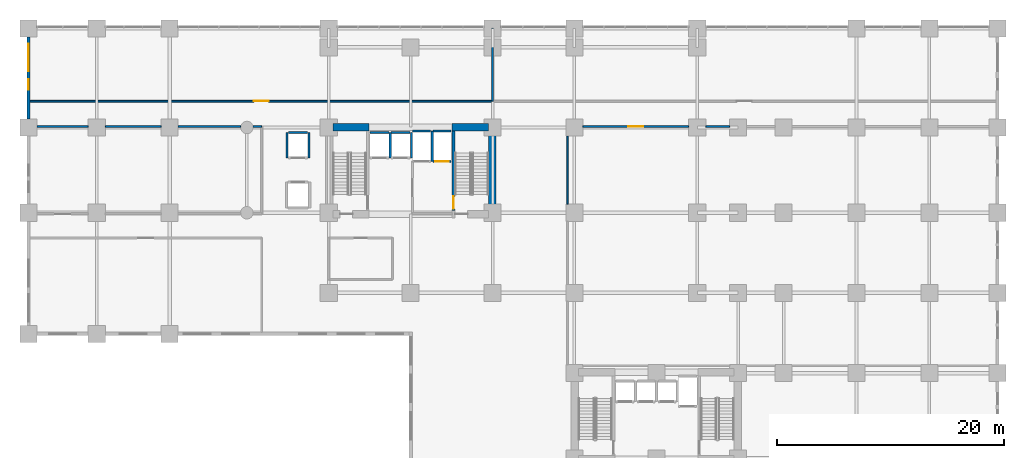
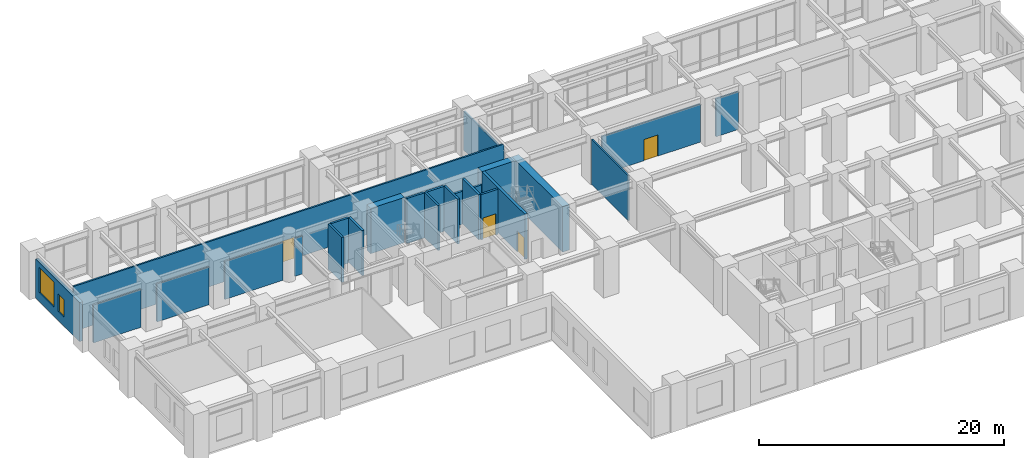
# One storey, part 17 of 22: 25 walls, 4 doors, 2 windows, 6 openings.
"""IFC4 building model written with IfcOpenShell, lengths in metres."""

from ifc_helpers import new_model, si_unit, direction, frame, frame_2d, origin, place, context, subcontext, project, spatial, rectangle, extrude, material, layer, layer_set, type_object, element, fill, save


model = new_model("IFC4")

# Units and contexts
model_context = context("Model", 3, precision=1e-05, world=origin(), true_north=direction((0.0, 1.0)))
body_context = subcontext(model_context, "Body", "Model", "MODEL_VIEW")
ifc_project = project(units=[si_unit("LENGTHUNIT", "METRE"), si_unit("AREAUNIT", "SQUARE_METRE"), si_unit("VOLUMEUNIT", "CUBIC_METRE"), si_unit("PLANEANGLEUNIT", "RADIAN"), si_unit("MASSUNIT", "GRAM", prefix="KILO")], contexts=[model_context])

# Site, building, storey
site_placement = place(None, origin())
site = spatial("IfcSite", under=ifc_project, at=site_placement, CompositionType="ELEMENT")
building_placement = place(site_placement, origin())
building = spatial("IfcBuilding", under=site, at=building_placement, Name="Kaliganga Portal Commons", CompositionType="ELEMENT")
storey_placement = place(building_placement, frame((0.0, 0.0, 10.199951171875)))
storey = spatial("IfcBuildingStorey", under=building, at=storey_placement, Name="L02", CompositionType="ELEMENT", Elevation=10.199951171875)

# Walls
ifc_material_1 = material(Name="Concrete C70/85", Category="concrete")
ifc_layer_1 = layer(ifc_material_1, 0.64990234375)
ifc_layer_set_1 = layer_set([ifc_layer_1], Name="Concrete C70/85")
wall_type_1 = type_object("IfcWallType", Name="WL-CORE-650", PredefinedType="SHEAR", material=ifc_layer_set_1)
wall_1_placement = place(storey_placement, frame((28.77490234375, 28.199951171875, 0.0), z_axis=(0.0, 0.0, 1.0), x_axis=(0.0, 1.0, 0.0)))
element("IfcWall", 1, at=wall_1_placement, inside=storey, type_object=wall_type_1, Name="Core A East Shear Wall L02", PredefinedType="SHEAR", context=body_context, shape_type="SweptSolid", body=[
    extrude(rectangle(XDim=8.300048828125, YDim=0.64990234375, at=frame_2d((4.14990234375, 0.0))), origin(), (0.0, 0.0, 1.0), 4.52001953125),
])
for number, where, z_axis, x_axis, name in (
    (2, (14.75, 36.175048828125, 0.0), (0.0, 0.0, 1.0), (1.0, 0.0, 0.0), "Core A N-West Shear Wall L02"),
    (3, (25.25, 36.175048828125, 0.0), (0.0, 0.0, 1.0), (1.0, 0.0, 0.0), "Core A N-East Shear Wall L02"),
):
    element("IfcWall", number, at=place(storey_placement, frame(where, z_axis=z_axis, x_axis=x_axis)), inside=storey, type_object=wall_type_1, Name=name, PredefinedType="SHEAR", context=body_context, shape_type="SweptSolid", body=[
        extrude(rectangle(XDim=3.199951171875, YDim=0.64990234375, at=frame_2d((1.60009765625, 0.0))), origin(), (0.0, 0.0, 1.0), 4.52001953125),
    ])

# Wall, openings, windows
ifc_material_2 = material(Name="Precast concrete C40/50", Category="concrete")
ifc_layer_2 = layer(ifc_material_2, 0.300048828125)
ifc_layer_set_2 = layer_set([ifc_layer_2], Name="Precast concrete C40/50")
wall_type_2 = type_object("IfcWallType", Name="WL-EXT-POD-300", PredefinedType="STANDARD", material=ifc_layer_set_2)
wall_2_placement = place(storey_placement, frame((-12.0, 36.90087890625, 0.0), z_axis=(0.0, 0.0, 1.0), x_axis=(0.0, 1.0, 0.0)))
wall_2 = element("IfcWall", 4, at=wall_2_placement, inside=storey, type_object=wall_type_2, Name="Exterior Envelope Wall L02 P1-E03-S1", PredefinedType="STANDARD", context=body_context, shape_type="SweptSolid", body=[
    extrude(rectangle(XDim=7.1982421875, YDim=0.300048828125, at=frame_2d((3.59912109375, 0.0))), origin(), (0.0, 0.0, 1.0), 3.900146484375),
])
opening_1_placement = place(wall_2_placement, frame((4.198486328125, 0.0, 0.89990234375)))
opening_1 = element("IfcOpeningElement", 5, at=opening_1_placement, cuts=wall_2, Name="Opening W-05", PredefinedType="OPENING", context=body_context, shape_type="SweptSolid", body=[
    extrude(rectangle(XDim=2.39990234375, YDim=2.5, at=frame_2d((1.199951171875, 1.25))), frame((0.0, 0.16015625, 0.0), z_axis=(0.0, -1.0, 0.0), x_axis=(1.0, 0.0, 0.0)), (0.0, 0.0, 1.0), 0.320068359375),
])
opening_2_placement = place(wall_2_placement, frame((2.548095703125, 0.0, 0.89990234375)))
opening_2 = element("IfcOpeningElement", 6, at=opening_2_placement, cuts=wall_2, Name="Opening W-04", PredefinedType="OPENING", context=body_context, shape_type="SweptSolid", body=[
    extrude(rectangle(XDim=0.949951171875, YDim=1.75, at=frame_2d((0.47509765625, 0.875))), frame((0.0, 0.16015625, 0.0), z_axis=(0.0, -1.0, 0.0), x_axis=(1.0, 0.0, 0.0)), (0.0, 0.0, 1.0), 0.320068359375),
])
ifc_material_3 = material(Name="Thermally Broken Aluminium and Low-E Double Glazing", Category="aluminium")
window_type_1 = type_object("IfcWindowType", Name="WIN-NARROW-950", PartitioningType="SINGLE_PANEL", PredefinedType="WINDOW", material=ifc_material_3)
window_1_placement = place(opening_2_placement, origin())
window_1 = element("IfcWindow", 7, at=window_1_placement, inside=storey, type_object=window_type_1, Name="Facade Window L02-P1E03S1-N5", OverallHeight=1.75, OverallWidth=0.949951171875, PartitioningType="SINGLE_PANEL", PredefinedType="WINDOW", context=body_context, shape_type="SweptSolid", body=[
    extrude(rectangle(XDim=0.949951171875, YDim=1.75, at=frame_2d((0.47509765625, 0.875))), frame((0.0, 0.030029296875, 0.0), z_axis=(0.0, -1.0, 0.0), x_axis=(1.0, 0.0, 0.0)), (0.0, 0.0, 1.0), 0.06005859375),
])
fill(opening_2, window_1)
window_type_2 = type_object("IfcWindowType", Name="WIN-POD-2400", PartitioningType="TRIPLE_PANEL_VERTICAL", PredefinedType="WINDOW", material=ifc_material_3)
window_2_placement = place(opening_1_placement, origin())
window_2 = element("IfcWindow", 8, at=window_2_placement, inside=storey, type_object=window_type_2, Name="Facade Window L02-P1E03S1-01", OverallHeight=2.5, OverallWidth=2.39990234375, PartitioningType="SINGLE_PANEL", PredefinedType="WINDOW", context=body_context, shape_type="SweptSolid", body=[
    extrude(rectangle(XDim=2.39990234375, YDim=2.5, at=frame_2d((1.199951171875, 1.25))), frame((0.0, 0.030029296875, 0.0), z_axis=(0.0, -1.0, 0.0), x_axis=(1.0, 0.0, 0.0)), (0.0, 0.0, 1.0), 0.06005859375),
])
fill(opening_1, window_2)

# Wall, opening, door
ifc_material_4 = material(Name="Fire-Rated Gypsum Board on Steel Stud", Category="steel")
ifc_layer_3 = layer(ifc_material_4, 0.14990234375)
ifc_layer_set_3 = layer_set([ifc_layer_3], Name="Fire-Rated Gypsum Board on Steel Stud")
wall_type_3 = type_object("IfcWallType", Name="WL-PART-CORR-150", PredefinedType="PARTITIONING", material=ifc_layer_set_3)
wall_3_placement = place(storey_placement, frame((-11.867919921875, 38.4599609375, 0.0), z_axis=(0.0, 0.0, 1.0), x_axis=(1.0, 0.0, 0.0)))
wall_3 = element("IfcWall", 9, at=wall_3_placement, inside=storey, type_object=wall_type_3, Name="Interior Partition L02-002", PredefinedType="PARTITIONING", context=body_context, shape_type="SweptSolid", body=[
    extrude(rectangle(XDim=40.66796875, YDim=0.14990234375, at=frame_2d((20.333984375, 0.0))), origin(), (0.0, 0.0, 1.0), 4.5),
])
opening_3_placement = place(wall_3_placement, frame((19.68408203125, 0.0, 0.0)))
opening_3 = element("IfcOpeningElement", 10, at=opening_3_placement, cuts=wall_3, Name="Opening RD-03", PredefinedType="OPENING", context=body_context, shape_type="SweptSolid", body=[
    extrude(rectangle(XDim=1.300048828125, YDim=2.1201171875, at=frame_2d((0.64990234375, 1.06005859375))), frame((0.0, 0.0849609375, 0.0), z_axis=(0.0, -1.0, 0.0), x_axis=(1.0, 0.0, 0.0)), (0.0, 0.0, 1.0), 0.169921875),
])
ifc_material_5 = material(Name="Glazed Timber Seminar Vision Door", Category="wood")
door_type_1 = type_object("IfcDoorType", Name="DR-STUDY-1300", OperationType="DOUBLE_DOOR_SINGLE_SWING", PredefinedType="DOOR", material=ifc_material_5)
door_1_placement = place(opening_3_placement, origin())
door_1 = element("IfcDoor", 11, at=door_1_placement, inside=storey, type_object=door_type_1, Name="Interior Door L02-LIB_W", OperationType="DOUBLE_DOOR_SINGLE_SWING", OverallHeight=2.1201171875, OverallWidth=1.300048828125, PredefinedType="DOOR", context=body_context, shape_type="SweptSolid", body=[
    extrude(rectangle(XDim=1.300048828125, YDim=2.1201171875, at=frame_2d((0.64990234375, 1.06005859375))), frame((0.0, 0.02490234375, 0.0), z_axis=(0.0, -1.0, 0.0), x_axis=(1.0, 0.0, 0.0)), (0.0, 0.0, 1.0), 0.050048828125),
])
fill(opening_3, door_1)

wall_4_placement = place(storey_placement, frame((36.75, 36.239990234375, 0.0), z_axis=(0.0, 0.0, 1.0), x_axis=(1.0, 0.0, 0.0)))
wall_4 = element("IfcWall", 12, at=wall_4_placement, inside=storey, type_object=wall_type_3, Name="Interior Partition L02-003", PredefinedType="PARTITIONING", context=body_context, shape_type="SweptSolid", body=[
    extrude(rectangle(XDim=9.300048828125, YDim=0.14990234375, at=frame_2d((4.64990234375, 0.0))), origin(), (0.0, 0.0, 1.0), 3.800048828125),
])
opening_4_placement = place(wall_4_placement, frame((4.0, 0.0, 0.0)))
opening_4 = element("IfcOpeningElement", 13, at=opening_4_placement, cuts=wall_4, Name="Opening RD-03", PredefinedType="OPENING", context=body_context, shape_type="SweptSolid", body=[
    extrude(rectangle(XDim=1.300048828125, YDim=2.1201171875, at=frame_2d((0.64990234375, 1.06005859375))), frame((0.0, 0.0849609375, 0.0), z_axis=(0.0, -1.0, 0.0), x_axis=(1.0, 0.0, 0.0)), (0.0, 0.0, 1.0), 0.169921875),
])
door_2_placement = place(opening_4_placement, origin())
door_2 = element("IfcDoor", 14, at=door_2_placement, inside=storey, type_object=door_type_1, Name="Interior Door L02-COWORK", OperationType="DOUBLE_DOOR_SINGLE_SWING", OverallHeight=2.1201171875, OverallWidth=1.300048828125, PredefinedType="DOOR", context=body_context, shape_type="SweptSolid", body=[
    extrude(rectangle(XDim=1.300048828125, YDim=2.1201171875, at=frame_2d((0.64990234375, 1.06005859375))), frame((0.0, 0.02490234375, 0.0), z_axis=(0.0, -1.0, 0.0), x_axis=(1.0, 0.0, 0.0)), (0.0, 0.0, 1.0), 0.050048828125),
])
fill(opening_4, door_2)

# Walls
wall_5_placement = place(storey_placement, frame((47.550048828125, 36.239990234375, 0.0), z_axis=(0.0, 0.0, 1.0), x_axis=(1.0, 0.0, 0.0)))
element("IfcWall", 15, at=wall_5_placement, inside=storey, type_object=wall_type_3, Name="Interior Partition L02-004", PredefinedType="PARTITIONING", context=body_context, shape_type="SweptSolid", body=[
    extrude(rectangle(XDim=2.099853515625, YDim=0.14990234375, at=frame_2d((1.0498046875, 0.0))), origin(), (0.0, 0.0, 1.0), 3.800048828125),
])
wall_6_placement = place(storey_placement, frame((35.39990234375, 29.39990234375, 0.0), z_axis=(0.0, 0.0, 1.0), x_axis=(0.0, 1.0, 0.0)))
element("IfcWall", 16, at=wall_6_placement, inside=storey, type_object=wall_type_3, Name="Interior Partition L02-011", PredefinedType="PARTITIONING", context=body_context, shape_type="SweptSolid", body=[
    extrude(rectangle(XDim=6.0, YDim=0.14990234375, at=frame_2d((3.0, 0.0))), origin(), (0.0, 0.0, 1.0), 4.5),
])
wall_7_placement = place(storey_placement, frame((-11.25, 36.239990234375, 0.0), z_axis=(0.0, 0.0, 1.0), x_axis=(1.0, 0.0, 0.0)))
element("IfcWall", 17, at=wall_7_placement, inside=storey, type_object=wall_type_3, Name="Interior Partition L02-017", PredefinedType="PARTITIONING", context=body_context, shape_type="SweptSolid", body=[
    extrude(rectangle(XDim=4.5, YDim=0.14990234375, at=frame_2d((2.25, 0.0))), origin(), (0.0, 0.0, 1.0), 3.800048828125),
])
wall_8_placement = place(storey_placement, frame((-5.25, 36.239990234375, 0.0), z_axis=(0.0, 0.0, 1.0), x_axis=(1.0, 0.0, 0.0)))
element("IfcWall", 18, at=wall_8_placement, inside=storey, type_object=wall_type_3, Name="Interior Partition L02-018", PredefinedType="PARTITIONING", context=body_context, shape_type="SweptSolid", body=[
    extrude(rectangle(XDim=4.89990234375, YDim=0.14990234375, at=frame_2d((2.449951171875, 0.0))), origin(), (0.0, 0.0, 1.0), 3.800048828125),
])
wall_9_placement = place(storey_placement, frame((1.14990234375, 36.239990234375, 0.0), z_axis=(0.0, 0.0, 1.0), x_axis=(1.0, 0.0, 0.0)))
element("IfcWall", 19, at=wall_9_placement, inside=storey, type_object=wall_type_3, Name="Interior Partition L02-019", PredefinedType="PARTITIONING", context=body_context, shape_type="SweptSolid", body=[
    extrude(rectangle(XDim=5.5, YDim=0.14990234375, at=frame_2d((2.75, 0.0))), origin(), (0.0, 0.0, 1.0), 3.800048828125),
])
wall_10_placement = place(storey_placement, frame((7.75, 36.239990234375, 0.0), z_axis=(0.0, 0.0, 1.0), x_axis=(1.0, 0.0, 0.0)))
element("IfcWall", 20, at=wall_10_placement, inside=storey, type_object=wall_type_3, Name="Interior Partition L02-020", PredefinedType="PARTITIONING", context=body_context, shape_type="SweptSolid", body=[
    extrude(rectangle(XDim=0.75, YDim=0.14990234375, at=frame_2d((0.375, 0.0))), origin(), (0.0, 0.0, 1.0), 3.800048828125),
])
ifc_material_6 = material(Name="Twin-Stud Acoustic Gypsum Partition", Category="gypsum")
ifc_layer_4 = layer(ifc_material_6, 0.1650390625)
ifc_layer_set_4 = layer_set([ifc_layer_4], Name="Twin-Stud Acoustic Gypsum Partition")
wall_type_4 = type_object("IfcWallType", Name="WL-PART-UNIT-165", PredefinedType="PARTITIONING", material=ifc_layer_set_4)
wall_11_placement = place(storey_placement, frame((28.800048828125, 38.4599609375, 0.0), z_axis=(0.0, 0.0, 1.0), x_axis=(0.0, 1.0, 0.0)))
element("IfcWall", 21, at=wall_11_placement, inside=storey, type_object=wall_type_4, Name="Interior Partition L02-030", PredefinedType="PARTITIONING", context=body_context, shape_type="SweptSolid", body=[
    extrude(rectangle(XDim=6.407958984375, YDim=0.1650390625, at=frame_2d((3.2041015625, 0.0))), origin(), (0.0, 0.0, 1.0), 3.900146484375),
])
ifc_material_7 = material(Name="Fire-Rated Shaftwall Masonry Assembly", Category="masonry")
ifc_layer_5 = layer(ifc_material_7, 0.199951171875)
ifc_layer_set_5 = layer_set([ifc_layer_5], Name="Fire-Rated Shaftwall Masonry Assembly")
wall_type_5 = type_object("IfcWallType", Name="WL-SHAFT-200", PredefinedType="PARTITIONING", material=ifc_layer_set_5)
wall_12_placement = place(storey_placement, frame((18.02490234375, 35.715087890625, 0.0), z_axis=(0.0, 0.0, 1.0), x_axis=(1.0, 0.0, 0.0)))
element("IfcWall", 22, at=wall_12_placement, inside=storey, type_object=wall_type_5, Name="Lift PL-A1 Hoistway Shaft Wall L02-N", PredefinedType="PARTITIONING", context=body_context, shape_type="SweptSolid", body=[
    extrude(rectangle(XDim=1.650146484375, YDim=0.199951171875, at=frame_2d((0.8251953125, 0.0))), origin(), (0.0, 0.0, 1.0), 4.5),
])
wall_13_placement = place(storey_placement, frame((19.81494140625, 33.485107421875, 0.0), z_axis=(0.0, 0.0, 1.0), x_axis=(0.0, 1.0, 0.0)))
element("IfcWall", 23, at=wall_13_placement, inside=storey, type_object=wall_type_5, Name="Lift PL-A1 Hoistway Shaft Wall L02-E", PredefinedType="PARTITIONING", context=body_context, shape_type="SweptSolid", body=[
    extrude(rectangle(XDim=2.22998046875, YDim=0.199951171875, at=frame_2d((1.114990234375, 0.0))), origin(), (0.0, 0.0, 1.0), 4.5),
])
wall_14_placement = place(storey_placement, frame((19.875, 35.715087890625, 0.0), z_axis=(0.0, 0.0, 1.0), x_axis=(1.0, 0.0, 0.0)))
element("IfcWall", 24, at=wall_14_placement, inside=storey, type_object=wall_type_5, Name="Lift PL-A2 Hoistway Shaft Wall L02-N", PredefinedType="PARTITIONING", context=body_context, shape_type="SweptSolid", body=[
    extrude(rectangle(XDim=1.64990234375, YDim=0.199951171875, at=frame_2d((0.824951171875, 0.0))), origin(), (0.0, 0.0, 1.0), 4.5),
])
wall_15_placement = place(storey_placement, frame((21.6650390625, 33.485107421875, 0.0), z_axis=(0.0, 0.0, 1.0), x_axis=(0.0, 1.0, 0.0)))
element("IfcWall", 25, at=wall_15_placement, inside=storey, type_object=wall_type_5, Name="Lift PL-A2 Hoistway Shaft Wall L02-E", PredefinedType="PARTITIONING", context=body_context, shape_type="SweptSolid", body=[
    extrude(rectangle(XDim=2.22998046875, YDim=0.199951171875, at=frame_2d((1.114990234375, 0.0))), origin(), (0.0, 0.0, 1.0), 4.5),
])
wall_16_placement = place(storey_placement, frame((10.875, 35.715087890625, 0.0), z_axis=(0.0, 0.0, 1.0), x_axis=(1.0, 0.0, 0.0)))
element("IfcWall", 26, at=wall_16_placement, inside=storey, type_object=wall_type_5, Name="Lift PL-OBS Hoistway Shaft Wall L02-N", PredefinedType="PARTITIONING", context=body_context, shape_type="SweptSolid", body=[
    extrude(rectangle(XDim=1.64990234375, YDim=0.199951171875, at=frame_2d((0.824951171875, 0.0))), origin(), (0.0, 0.0, 1.0), 4.5),
])
for number, where, z_axis, x_axis, name in (
    (27, (10.735107421875, 33.485107421875, 0.0), (0.0, 0.0, 1.0), (0.0, 1.0, 0.0), "Lift PL-OBS Hoistway Shaft Wall L02-W"),
    (28, (12.6650390625, 33.485107421875, 0.0), (0.0, 0.0, 1.0), (0.0, 1.0, 0.0), "Lift PL-OBS Hoistway Shaft Wall L02-E"),
):
    element("IfcWall", number, at=place(storey_placement, frame(where, z_axis=z_axis, x_axis=x_axis)), inside=storey, type_object=wall_type_5, Name=name, PredefinedType="PARTITIONING", context=body_context, shape_type="SweptSolid", body=[
        extrude(rectangle(XDim=2.22998046875, YDim=0.199951171875, at=frame_2d((1.114990234375, 0.0))), origin(), (0.0, 0.0, 1.0), 4.5),
    ])
wall_17_placement = place(storey_placement, frame((21.75, 35.840087890625, 0.0), z_axis=(0.0, 0.0, 1.0), x_axis=(1.0, 0.0, 0.0)))
element("IfcWall", 29, at=wall_17_placement, inside=storey, type_object=wall_type_5, Name="Lift FFL-1 Hoistway Shaft Wall L02-N", PredefinedType="PARTITIONING", context=body_context, shape_type="SweptSolid", body=[
    extrude(rectangle(XDim=1.60009765625, YDim=0.199951171875, at=frame_2d((0.800048828125, 0.0))), origin(), (0.0, 0.0, 1.0), 3.300048828125),
])
wall_18_placement = place(storey_placement, frame((23.489990234375, 33.159912109375, 0.0), z_axis=(0.0, 0.0, 1.0), x_axis=(0.0, 1.0, 0.0)))
element("IfcWall", 30, at=wall_18_placement, inside=storey, type_object=wall_type_5, Name="Lift FFL-1 Hoistway Shaft Wall L02-E", PredefinedType="PARTITIONING", context=body_context, shape_type="SweptSolid", body=[
    extrude(rectangle(XDim=2.68017578125, YDim=0.199951171875, at=frame_2d((1.340087890625, 0.0))), origin(), (0.0, 0.0, 1.0), 4.5),
])

# Wall, opening, door
wall_19_placement = place(storey_placement, frame((23.550048828125, 33.159912109375, 0.0), z_axis=(0.0, 0.0, 1.0), x_axis=(1.0, 0.0, 0.0)))
wall_19 = element("IfcWall", 31, at=wall_19_placement, inside=storey, type_object=wall_type_5, Name="Lift FFL-2 Hoistway Shaft Wall L02-S", PredefinedType="PARTITIONING", context=body_context, shape_type="SweptSolid", body=[
    extrude(rectangle(XDim=1.599853515625, YDim=0.199951171875, at=frame_2d((0.7998046875, 0.0))), origin(), (0.0, 0.0, 1.0), 4.5),
])
opening_5_placement = place(wall_19_placement, frame((0.199951171875, 0.0, 0.0)))
opening_5 = element("IfcOpeningElement", 32, at=opening_5_placement, cuts=wall_19, Name="Opening LD-02", PredefinedType="OPENING", context=body_context, shape_type="SweptSolid", body=[
    extrude(rectangle(XDim=1.199951171875, YDim=2.1201171875, at=frame_2d((0.60009765625, 1.06005859375))), frame((0.0, 0.10986328125, 0.0), z_axis=(0.0, -1.0, 0.0), x_axis=(1.0, 0.0, 0.0)), (0.0, 0.0, 1.0), 0.219970703125),
])
ifc_material_8 = material(Name="Brushed Stainless Steel 316 Stretcher Lift Landing Door", Category="steel")
door_type_2 = type_object("IfcDoorType", Name="DR-LIFT-1200", OperationType="SLIDING_TO_RIGHT", PredefinedType="DOOR", material=ifc_material_8)
door_3_placement = place(opening_5_placement, origin())
door_3 = element("IfcDoor", 33, at=door_3_placement, inside=storey, type_object=door_type_2, Name="Lift FFL-2 Sliding Landing Door L02", OperationType="SLIDING_TO_RIGHT", OverallHeight=2.1201171875, OverallWidth=1.199951171875, PredefinedType="DOOR", context=body_context, shape_type="SweptSolid", body=[
    extrude(rectangle(XDim=1.199951171875, YDim=2.1201171875, at=frame_2d((0.60009765625, 1.06005859375))), frame((0.0, 0.02490234375, 0.0), z_axis=(0.0, -1.0, 0.0), x_axis=(1.0, 0.0, 0.0)), (0.0, 0.0, 1.0), 0.050048828125),
])
fill(opening_5, door_3)

# Wall
wall_20_placement = place(storey_placement, frame((23.550048828125, 35.840087890625, 0.0), z_axis=(0.0, 0.0, 1.0), x_axis=(1.0, 0.0, 0.0)))
element("IfcWall", 34, at=wall_20_placement, inside=storey, type_object=wall_type_5, Name="Lift FFL-2 Hoistway Shaft Wall L02-N", PredefinedType="PARTITIONING", context=body_context, shape_type="SweptSolid", body=[
    extrude(rectangle(XDim=1.599853515625, YDim=0.199951171875, at=frame_2d((0.7998046875, 0.0))), origin(), (0.0, 0.0, 1.0), 3.300048828125),
])

# Wall, opening, door
ifc_material_9 = material(Name="Concrete C50/60", Category="concrete")
ifc_layer_6 = layer(ifc_material_9, 0.25)
ifc_layer_set_6 = layer_set([ifc_layer_6], Name="Concrete C50/60")
wall_type_6 = type_object("IfcWallType", Name="WL-STAIR-250", PredefinedType="SHEAR", material=ifc_layer_set_6)
wall_21_placement = place(storey_placement, frame((25.375, 28.85009765625, 0.0), z_axis=(0.0, 0.0, 1.0), x_axis=(0.0, 1.0, 0.0)))
wall_21 = element("IfcWall", 35, at=wall_21_placement, inside=storey, type_object=wall_type_6, Name="Stair A2 Enclosure Shear Wall L02", PredefinedType="SHEAR", context=body_context, shape_type="SweptSolid", body=[
    extrude(rectangle(XDim=7.0, YDim=0.25, at=frame_2d((3.5, 0.0))), origin(), (0.0, 0.0, 1.0), 4.52001953125),
])
opening_6_placement = place(wall_21_placement, frame((0.14990234375, 0.0, 0.0)))
opening_6 = element("IfcOpeningElement", 36, at=opening_6_placement, cuts=wall_21, Name="Opening SD-01", PredefinedType="OPENING", context=body_context, shape_type="SweptSolid", body=[
    extrude(rectangle(XDim=1.10009765625, YDim=2.080078125, at=frame_2d((0.550048828125, 1.0400390625))), frame((0.0, 0.135009765625, 0.0), z_axis=(0.0, -1.0, 0.0), x_axis=(1.0, 0.0, 0.0)), (0.0, 0.0, 1.0), 0.27001953125),
])
ifc_material_10 = material(Name="Galvanized Steel Fire Door Leaf and Frame", Category="steel")
door_type_3 = type_object("IfcDoorType", Name="DR-STAIR-1100", OperationType="NOTDEFINED", PredefinedType="DOOR", material=ifc_material_10)
door_4_placement = place(opening_6_placement, origin())
door_4 = element("IfcDoor", 37, at=door_4_placement, inside=storey, type_object=door_type_3, Name="Protected Stair ST-A2 Fire Door L02", OperationType="SINGLE_SWING_LEFT", OverallHeight=2.080078125, OverallWidth=1.10009765625, PredefinedType="DOOR", context=body_context, shape_type="SweptSolid", body=[
    extrude(rectangle(XDim=1.10009765625, YDim=2.080078125, at=frame_2d((0.550048828125, 1.0400390625))), frame((0.0, 0.02490234375, 0.0), z_axis=(0.0, -1.0, 0.0), x_axis=(1.0, 0.0, 0.0)), (0.0, 0.0, 1.0), 0.050048828125),
])
fill(opening_6, door_4)

save(model, "model.ifc")
